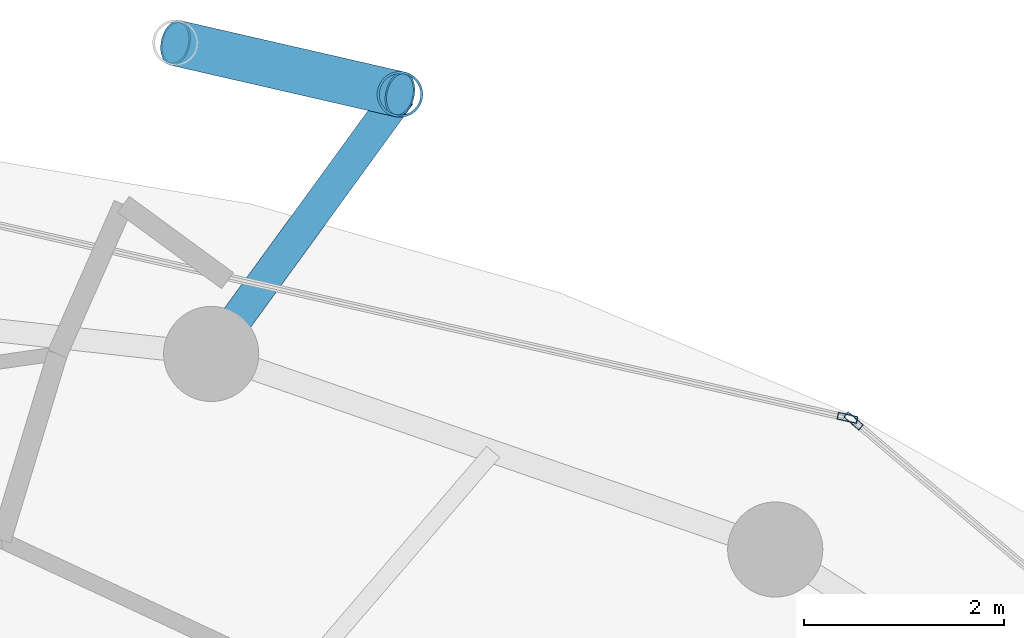
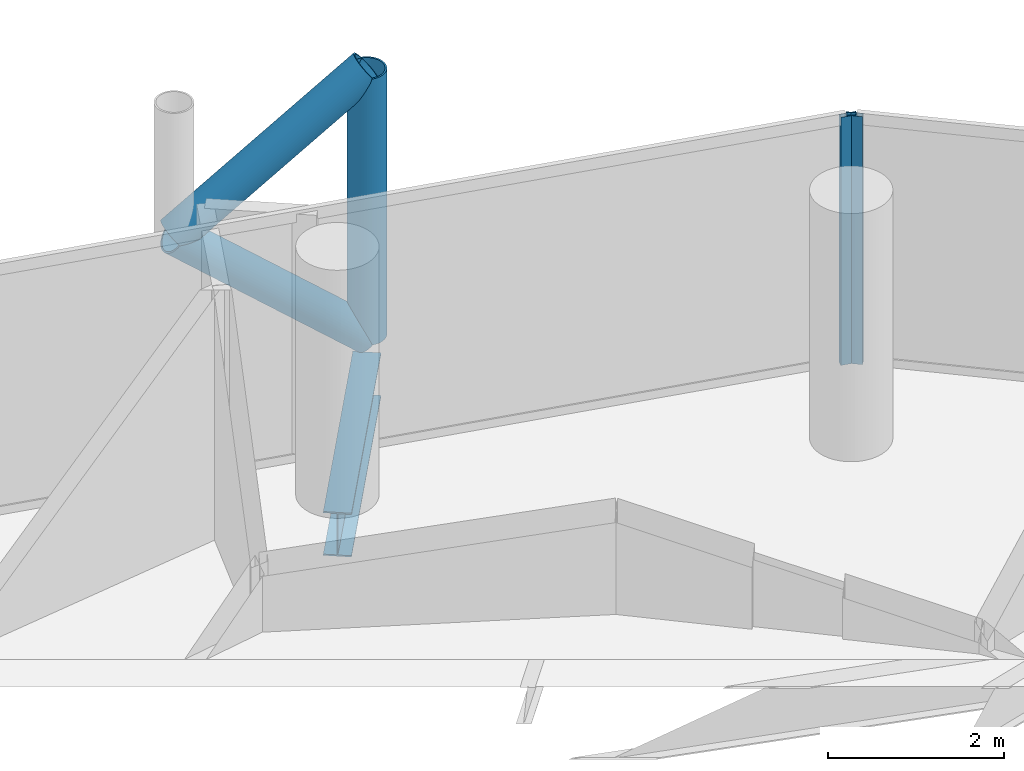
# One storey, part 20 of 26: 5 members, 1 beam, 2 elements without a shape of their own.
"""IFC4 building model written with IfcOpenShell, lengths in metres."""

import ifcopenshell
import ifcopenshell.guid

model = None  # the IFC model being written
_history = None  # IfcOwnerHistory: only IFC2X3 demands one
_inside = {}  # id of a spatial element -> (the spatial element, [elements in it])
_under = {}  # id of a project, library or spatial element -> (it, [spatial elements below it])
_declared = {}  # id of a project -> (the project, [libraries it declares])
_typed = {}  # id of a type object -> (the type object, [elements of that type])
_made_of = {}  # id of a material, layer set ... -> (it, [elements and type objects made of it])


def new_model(schema):
    """Start an empty IFC model of exactly this schema.

    Asked for "IFC4X3", IfcOpenShell would pick the latest addendum, in which some entities
    have other attributes; the version numbers below select the first issue.
    IFC2X3 requires an IfcOwnerHistory on every rooted entity: one is made here for all.
    """
    global model, _history
    if schema == "IFC4X3":
        model = ifcopenshell.file(schema_version=(4, 3, 0, 0))
    else:
        model = ifcopenshell.file(schema=schema)
    _inside.clear()
    _under.clear()
    _declared.clear()
    _typed.clear()
    _made_of.clear()
    _history = None
    if model.schema == "IFC2X3":
        org = make("IfcOrganization", Name="unknown")
        user = make(
            "IfcPersonAndOrganization",
            ThePerson=make("IfcPerson", FamilyName="unknown"),
            TheOrganization=org,
        )
        app = make(
            "IfcApplication",
            ApplicationDeveloper=org,
            Version="unknown",
            ApplicationFullName="unknown",
            ApplicationIdentifier="unknown",
        )
        _history = make(
            "IfcOwnerHistory",
            OwningUser=user,
            OwningApplication=app,
            ChangeAction="ADDED",
            CreationDate=0,
        )
    return model


def make(cls, **values):
    """One entity of the class cls with the attributes given. An attribute that is None is left unset."""
    return model.create_entity(
        cls, **{name: value for name, value in values.items() if value is not None}
    )


def rooted(cls, **values):
    """An entity with a GlobalId (a new one), such as an element, a storey or a relation."""
    return make(cls, GlobalId=ifcopenshell.guid.new(), OwnerHistory=_history, **values)


def si_unit(unit_type, name, prefix=None):
    """IfcSIUnit, for example si_unit("LENGTHUNIT", "METRE", prefix="MILLI")."""
    return make("IfcSIUnit", UnitType=unit_type, Prefix=prefix, Name=name)


def assignment(units):
    """IfcUnitAssignment: the units of a project."""
    return None if units is None else make("IfcUnitAssignment", Units=units)


def point(xyz):
    """IfcCartesianPoint."""
    return None if xyz is None else make("IfcCartesianPoint", Coordinates=xyz)


def direction(xyz):
    """IfcDirection."""
    return None if xyz is None else make("IfcDirection", DirectionRatios=xyz)


def frame(location, z_axis=None, x_axis=None):
    """IfcAxis2Placement3D, a coordinate frame: its origin and axes. An axis left out is left unset."""
    return make(
        "IfcAxis2Placement3D",
        Location=point(location),
        Axis=direction(z_axis),
        RefDirection=direction(x_axis),
    )


def frame_2d(location, x_axis=None):
    """IfcAxis2Placement2D, a coordinate frame in the plane: its origin and x axis."""
    return make(
        "IfcAxis2Placement2D", Location=point(location), RefDirection=direction(x_axis)
    )


def origin():
    """The frame at (0, 0, 0) with its axes left unset."""
    return frame((0.0, 0.0, 0.0))


def origin_2d():
    """The frame at (0, 0) in the plane with its x axis left unset."""
    return frame_2d((0.0, 0.0))


def place(relative_to, where):
    """IfcLocalPlacement: puts the frame where relative to a parent placement (None: the world)."""
    return make(
        "IfcLocalPlacement", PlacementRelTo=relative_to, RelativePlacement=where
    )


def context(
    kind, dimensions, precision=None, world=None, true_north=None, identifier=None
):
    """IfcGeometricRepresentationContext, for example the 3D "Model" context."""
    return make(
        "IfcGeometricRepresentationContext",
        ContextIdentifier=identifier,
        ContextType=kind,
        CoordinateSpaceDimension=dimensions,
        Precision=precision,
        WorldCoordinateSystem=world,
        TrueNorth=true_north,
    )


def subcontext(parent, identifier, kind, view, scale=None):
    """IfcGeometricRepresentationSubContext, for example "Body" below "Model"."""
    return make(
        "IfcGeometricRepresentationSubContext",
        ContextIdentifier=identifier,
        ContextType=kind,
        ParentContext=parent,
        TargetScale=scale,
        TargetView=view,
    )


def project(units=None, contexts=None):
    """IfcProject with its units and contexts."""
    return rooted(
        "IfcProject",
        Name="project",
        RepresentationContexts=contexts,
        UnitsInContext=assignment(units),
    )


def spatial(cls, under=None, at=None, **own):
    """A site, building, storey or space (cls), placed at a placement, below another one or the project."""
    s = rooted(cls, ObjectPlacement=at, **own)
    if under is not None:
        _under.setdefault(under.id(), (under, []))[1].append(s)
    return s


def profile(cls, at=None, kind="AREA", **sizes):
    """A parametric profile (cls). Its sizes go by their IFC names, for example OverallWidth=200.0."""
    return make(cls, ProfileType=kind, Position=at, **sizes)


def hollow_rectangle(**sizes):
    """IfcRectangleHollowProfileDef."""
    return profile("IfcRectangleHollowProfileDef", **sizes)


def hollow_circle(**sizes):
    """IfcCircleHollowProfileDef."""
    return profile("IfcCircleHollowProfileDef", **sizes)


def i_section(**sizes):
    """IfcIShapeProfileDef."""
    return profile("IfcIShapeProfileDef", **sizes)


def extrude(swept, where, along, depth):
    """IfcExtrudedAreaSolid: the profile swept, set in the frame where, extruded along a direction by depth."""
    return make(
        "IfcExtrudedAreaSolid",
        SweptArea=swept,
        Position=where,
        ExtrudedDirection=direction(along),
        Depth=depth,
    )


def shape(context_of_items, identifier, shape_type, items):
    """IfcShapeRepresentation: the items that make up one representation, for example the "Body"."""
    return make(
        "IfcShapeRepresentation",
        ContextOfItems=context_of_items,
        RepresentationIdentifier=identifier,
        RepresentationType=shape_type,
        Items=items,
    )


def material(Name=None, Category=None):
    """IfcMaterial."""
    return make("IfcMaterial", Name=Name, Category=Category)


def layer(
    of_material, thickness, ventilated=None, Name=None, Category=None, Priority=None
):
    """IfcMaterialLayer: one layer of a wall or slab, of a material (None: an air gap)."""
    return make(
        "IfcMaterialLayer",
        Material=of_material,
        LayerThickness=thickness,
        IsVentilated=ventilated,
        Name=Name,
        Category=Category,
        Priority=Priority,
    )


def layer_set(layers, Name=None):
    """IfcMaterialLayerSet."""
    return make("IfcMaterialLayerSet", MaterialLayers=layers, LayerSetName=Name)


def material_profile(
    of_material, cross_section, Name=None, Category=None, Priority=None
):
    """IfcMaterialProfile: a cross section and its material."""
    return make(
        "IfcMaterialProfile",
        Name=Name,
        Material=of_material,
        Profile=cross_section,
        Priority=Priority,
        Category=Category,
    )


def profile_set(profiles, Name=None, composite=None):
    """IfcMaterialProfileSet."""
    return make(
        "IfcMaterialProfileSet",
        Name=Name,
        MaterialProfiles=profiles,
        CompositeProfile=composite,
    )


def made_of(thing, what):
    """Note that an element or type object is made of a material, layer set ...; save() writes the relation."""
    if what is not None:
        _made_of.setdefault(what.id(), (what, []))[1].append(thing)
    return thing


def type_object(cls, material=None, **own):
    """A type object (cls), such as IfcWallType, which elements share."""
    return made_of(rooted(cls, **own), material)


def element(
    cls,
    number,
    at=None,
    inside=None,
    cuts=None,
    type_object=None,
    material=None,
    context=None,
    identifier="Body",
    shape_type=None,
    held_by="IfcProductDefinitionShape",
    body=None,
    shapes=None,
    **own,
):
    """One element of the class cls, such as IfcWall. Its Tag is "e" and its number.

    at: its placement. inside: the storey or other place that contains it. cuts: it is an
    opening in that element (IfcRelVoidsElement). A single representation is given by context,
    identifier, shape_type and body (its items); several are given by shapes. held_by: the class
    of the entity that holds the representations. save() writes the other relations.
    """
    e = rooted(cls, Tag="e%d" % number, ObjectPlacement=at, **own)
    if body is not None:
        shapes = [shape(context, identifier, shape_type, body)]
    if shapes is not None:
        e.Representation = make(held_by, Representations=shapes)
    if inside is not None:
        _inside.setdefault(inside.id(), (inside, []))[1].append(e)
    if cuts is not None:
        rooted(
            "IfcRelVoidsElement", RelatingBuildingElement=cuts, RelatedOpeningElement=e
        )
    if type_object is not None:
        _typed.setdefault(type_object.id(), (type_object, []))[1].append(e)
    return made_of(e, material)


def aggregate(whole, parts):
    """IfcRelAggregates: a whole, such as a stair, and the parts it consists of."""
    return rooted("IfcRelAggregates", RelatingObject=whole, RelatedObjects=parts)


def save(model, path):
    """Write the relations noted so far, then the file.

    IfcRelAggregates (storeys below a building ...), IfcRelContainedInSpatialStructure (elements
    in a storey), IfcRelDefinesByType, IfcRelAssociatesMaterial and IfcRelDeclares: one each for
    every whole, place, type object, material and project.
    """
    for whole, parts in _under.values():
        aggregate(whole, parts)
    for where, things in _inside.values():
        rooted(
            "IfcRelContainedInSpatialStructure",
            RelatedElements=things,
            RelatingStructure=where,
        )
    for kind, things in _typed.values():
        rooted("IfcRelDefinesByType", RelatedObjects=things, RelatingType=kind)
    for what, things in _made_of.values():
        rooted("IfcRelAssociatesMaterial", RelatedObjects=things, RelatingMaterial=what)
    for by, libraries in _declared.values():
        rooted("IfcRelDeclares", RelatingContext=by, RelatedDefinitions=libraries)
    model.write(path)


model = new_model("IFC4")

# Units and contexts
model_context = context("Model", 3, precision=1e-05, world=origin(), true_north=direction((0.0, 1.0)))
body_context = subcontext(model_context, "Body", "Model", "MODEL_VIEW")
ifc_project = project(units=[si_unit("LENGTHUNIT", "METRE"), si_unit("AREAUNIT", "SQUARE_METRE"), si_unit("VOLUMEUNIT", "CUBIC_METRE"), si_unit("PLANEANGLEUNIT", "RADIAN"), si_unit("MASSUNIT", "GRAM", prefix="KILO")], contexts=[model_context])

# Site, building, storey
site_placement = place(None, origin())
site = spatial("IfcSite", under=ifc_project, at=site_placement, CompositionType="ELEMENT")
building_placement = place(site_placement, origin())
building = spatial("IfcBuilding", under=site, at=building_placement, Name="Nuhasar Tower", CompositionType="ELEMENT")
storey_placement = place(building_placement, frame((0.0, 0.0, 155.25)))
storey = spatial("IfcBuildingStorey", under=building, at=storey_placement, Name="L37", CompositionType="ELEMENT", Elevation=155.25)

# Beam
ifc_material_1 = material(Name="Steel S355", Category="steel")
ifc_material_profile_1 = material_profile(ifc_material_1, i_section(OverallWidth=0.323974609375, OverallDepth=0.611083984375, WebThickness=0.0126953125, FlangeThickness=0.01904296875, at=origin_2d()), Name="W24X104")
ifc_profile_set_1 = profile_set([ifc_material_profile_1], Name="Steel S355")
beam_type = type_object("IfcBeamType", Name="BM-TIE-W24X104", PredefinedType="BEAM", material=ifc_profile_set_1)
beam_placement = place(storey_placement, frame((45.04296875, 45.68408203125, -0.554931640625), z_axis=(0.588185286445, 0.808726201387, 0.0), x_axis=(-0.808726201387, 0.588185286445, 0.0)))
element("IfcBeam", 1, at=beam_placement, inside=storey, type_object=beam_type, Name="L37 Exoskeleton Node Tie Beam 03", PredefinedType="BEAM", context=body_context, shape_type="SweptSolid", body=[
    extrude(i_section(OverallWidth=0.323974609375, OverallDepth=0.611083984375, WebThickness=0.0126953125, FlangeThickness=0.01904296875, at=origin_2d()), origin(), (0.0, 0.0, 1.0), 3.204833984375),
])

# Curtain wall, member
ifc_material_2 = material(Name="Aluminium 6063-T6", Category="aluminium")
ifc_layer = layer(ifc_material_2, 0.199951171875)
ifc_layer_set = layer_set([ifc_layer], Name="Aluminium 6063-T6")
curtain_wall_type = type_object("IfcCurtainWallType", Name="CW-Z2-HTL", PredefinedType="NOTDEFINED", material=ifc_layer_set)
curtain_wall_1_placement = place(storey_placement, origin())
curtain_wall_1 = element("IfcCurtainWall", 2, at=curtain_wall_1_placement, inside=storey, type_object=curtain_wall_type, Name="L37 Unitised Curtain Wall 02", PredefinedType="NOTDEFINED")
ifc_material_profile_2 = material_profile(ifc_material_2, hollow_rectangle(XDim=0.070068359375, YDim=0.199951171875, WallThickness=0.0048828125, at=origin_2d()), Name="CWM-3")
ifc_profile_set_2 = profile_set([ifc_material_profile_2], Name="Aluminium 6063-T6")
member_type_1 = type_object("IfcMemberType", Name="CW-MUL-S3", PredefinedType="MULLION", material=ifc_profile_set_2)
member_1_placement = place(storey_placement, frame((51.456787109375, 45.015380859375, 0.0), z_axis=(0.0, 0.0, 1.0), x_axis=(-0.646374438324, -0.763020370292, 0.0)))
member_1 = element("IfcMember", 3, at=member_1_placement, type_object=member_type_1, Name="CW-Z2 mullion 2", PredefinedType="MULLION", context=body_context, shape_type="SweptSolid", body=[
    extrude(hollow_rectangle(XDim=0.070068359375, YDim=0.199951171875, WallThickness=0.0048828125, at=origin_2d()), origin(), (0.0, 0.0, 1.0), 3.449951171875),
])
aggregate(curtain_wall_1, [member_1])

curtain_wall_2_placement = place(storey_placement, origin())
curtain_wall_2 = element("IfcCurtainWall", 4, at=curtain_wall_2_placement, inside=storey, type_object=curtain_wall_type, Name="L37 Unitised Curtain Wall 03", PredefinedType="NOTDEFINED")
member_2_placement = place(storey_placement, frame((51.395751953125, 45.045654296875, 0.0), z_axis=(0.0, 0.0, 1.0), x_axis=(-0.22139729566, -0.975183694221, 0.0)))
member_2 = element("IfcMember", 5, at=member_2_placement, type_object=member_type_1, Name="CW-Z2 mullion 1", PredefinedType="MULLION", context=body_context, shape_type="SweptSolid", body=[
    extrude(hollow_rectangle(XDim=0.070068359375, YDim=0.199951171875, WallThickness=0.0048828125, at=origin_2d()), origin(), (0.0, 0.0, 1.0), 3.449951171875),
])
aggregate(curtain_wall_2, [member_2])

# Members
ifc_material_3 = material(Name="Steel S460", Category="steel")
ifc_material_profile_3 = material_profile(ifc_material_3, hollow_circle(Radius=0.228515625, WallThickness=0.022216796875, at=origin_2d()), Name="HSS457X22.2")
ifc_profile_set_3 = profile_set([ifc_material_profile_3], Name="Steel S460")
member_type_2 = type_object("IfcMemberType", Name="EXO-BRONZE-457", PredefinedType="BRACE", material=ifc_profile_set_3)
member_3_placement = place(storey_placement, frame((46.927978515625, 48.27587890625, 0.0), z_axis=(0.0, 0.0, 1.0), x_axis=(1.0, 0.0, 0.0)))
element("IfcMember", 6, at=member_3_placement, inside=storey, type_object=member_type_2, Name="L37 Exoskeleton Chord Column EC-03A", PredefinedType="BRACE", context=body_context, shape_type="SweptSolid", body=[
    extrude(hollow_circle(Radius=0.228515625, WallThickness=0.022216796875, at=origin_2d()), origin(), (0.0, 0.0, 1.0), 3.699951171875),
])
member_4_placement = place(storey_placement, frame((46.927978515625, 48.27587890625, 0.0), z_axis=(-0.759499549084, 0.174181209885, 0.626754609927), x_axis=(-0.223533724104, -0.974696195842, 0.0)))
element("IfcMember", 7, at=member_4_placement, inside=storey, type_object=member_type_2, Name="L37 Bronze Diagrid Brace W1-03", PredefinedType="BRACE", context=body_context, shape_type="SweptSolid", body=[
    extrude(hollow_circle(Radius=0.228515625, WallThickness=0.022216796875, at=origin_2d()), origin(), (0.0, 0.0, 1.0), 2.951904296875),
])
member_5_placement = place(storey_placement, frame((44.68603515625, 48.7900390625, 1.85009765625), z_axis=(0.759538919781, -0.174190239035, 0.626704388019), x_axis=(0.223533724104, 0.974696195842, 0.0)))
element("IfcMember", 8, at=member_5_placement, inside=storey, type_object=member_type_2, Name="L37 Bronze Diagrid Brace W2-03", PredefinedType="BRACE", context=body_context, shape_type="SweptSolid", body=[
    extrude(hollow_circle(Radius=0.228515625, WallThickness=0.022216796875, at=origin_2d()), origin(), (0.0, 0.0, 1.0), 2.95166015625),
])

save(model, "model.ifc")
